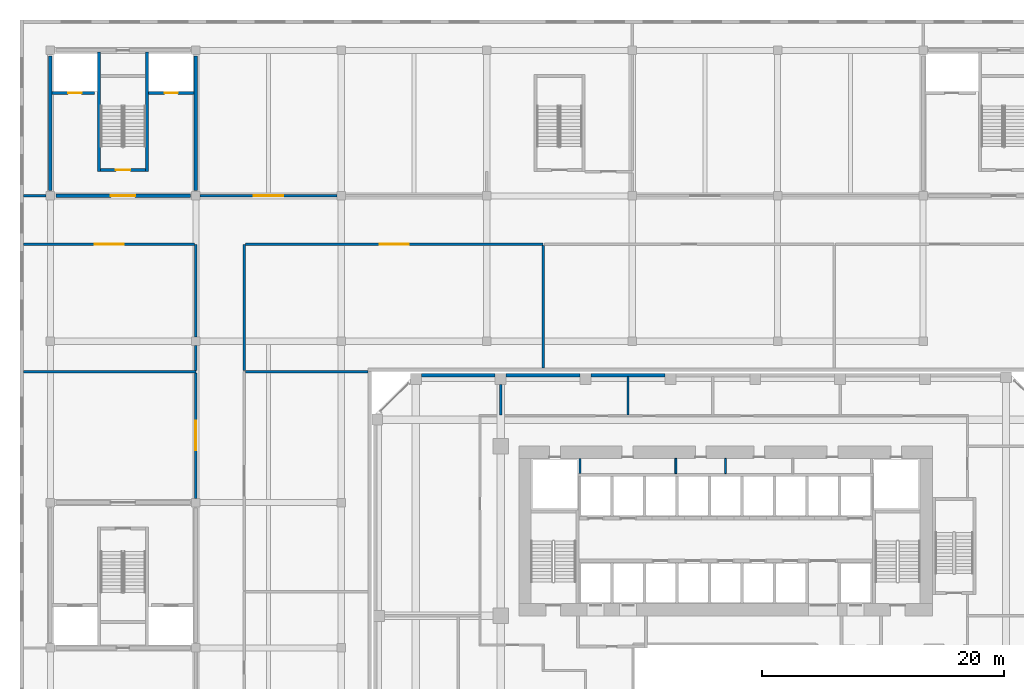
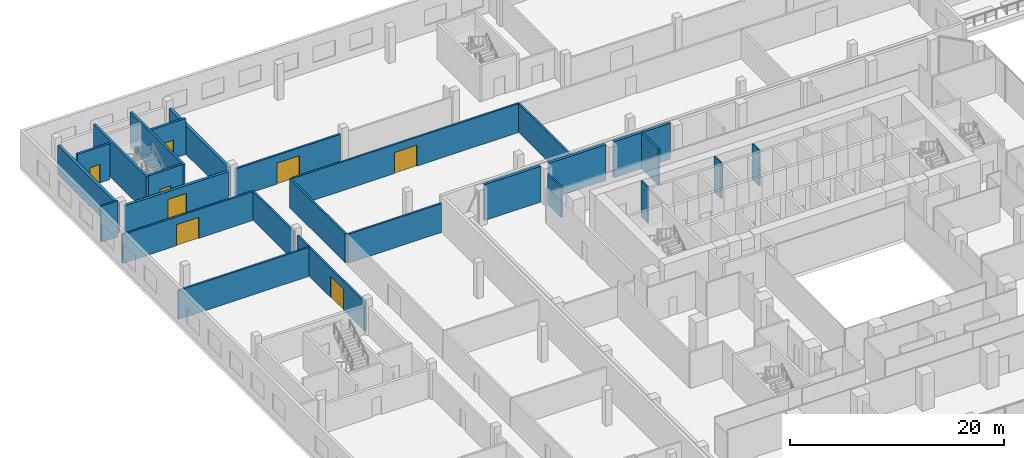
# One storey, part 21 of 36: 27 walls, 8 doors, 8 openings.
"""IFC4 building model written with IfcOpenShell, lengths in metres."""

from ifc_helpers import new_model, si_unit, direction, frame, frame_2d, origin, place, context, subcontext, project, spatial, rectangle, extrude, source, transform, mapped, material, layer, layer_set, type_object, element, fill, save


model = new_model("IFC4")

# Units and contexts
model_context = context("Model", 3, precision=1e-05, world=origin(), true_north=direction((0.0, 1.0)))
body_context = subcontext(model_context, "Body", "Model", "MODEL_VIEW")
ifc_project = project(units=[si_unit("LENGTHUNIT", "METRE"), si_unit("AREAUNIT", "SQUARE_METRE"), si_unit("VOLUMEUNIT", "CUBIC_METRE"), si_unit("PLANEANGLEUNIT", "RADIAN"), si_unit("MASSUNIT", "GRAM", prefix="KILO")], contexts=[model_context])

# Site, building, storey
site_placement = place(None, origin())
site = spatial("IfcSite", under=ifc_project, at=site_placement, CompositionType="ELEMENT")
building_placement = place(site_placement, origin())
building = spatial("IfcBuilding", under=site, at=building_placement, Name="Kilnfold Tower and Market Hall", CompositionType="ELEMENT")
storey_placement = place(building_placement, frame((0.0, 0.0, 18.0)))
storey = spatial("IfcBuildingStorey", under=building, at=storey_placement, Name="L03", CompositionType="ELEMENT", Elevation=18.0)

# Walls
ifc_material_1 = material(Name="Gypsum board on steel studs", Category="steel")
ifc_layer_1 = layer(ifc_material_1, 0.199951171875)
ifc_layer_set_1 = layer_set([ifc_layer_1], Name="Gypsum board on steel studs")
wall_type_1 = type_object("IfcWallType", Name="WALL PARTY 200", PredefinedType="PARTITIONING", material=ifc_layer_set_1)
wall_1_placement = place(storey_placement, frame((-7.0, 27.75, 0.0), z_axis=(0.0, 0.0, 1.0), x_axis=(0.0, -1.0, 0.0)))
element("IfcWall", 1, at=wall_1_placement, inside=storey, type_object=wall_type_1, Name="Partition LY04.64", PredefinedType="PARTITIONING", context=body_context, shape_type="SweptSolid", body=[
    extrude(rectangle(XDim=3.174072265625, YDim=0.199951171875, at=frame_2d((1.5869140625, 0.0))), origin(), (0.0, 0.0, 1.0), 4.10009765625),
])
wall_2_placement = place(storey_placement, frame((-17.5, 24.575927734375, 0.0), z_axis=(0.0, 0.0, 1.0), x_axis=(0.0, 1.0, 0.0)))
element("IfcWall", 2, at=wall_2_placement, inside=storey, type_object=wall_type_1, Name="Partition LY04.65", PredefinedType="PARTITIONING", context=body_context, shape_type="SweptSolid", body=[
    extrude(rectangle(XDim=2.524169921875, YDim=0.199951171875, at=frame_2d((1.26220703125, 0.0))), origin(), (0.0, 0.0, 1.0), 3.449951171875),
])

# Wall, opening, door
ifc_material_2 = material(Name="Concrete C50/60", Category="concrete")
ifc_layer_2 = layer(ifc_material_2, 0.25)
ifc_layer_set_2 = layer_set([ifc_layer_2], Name="Concrete C50/60")
wall_type_2 = type_object("IfcWallType", Name="HALL CORE WALL 250", PredefinedType="SHEAR", material=ifc_layer_set_2)
shared_shape_1 = source(origin(), body_context, "Body", "SweptSolid", [
    extrude(rectangle(XDim=3.699951171875, YDim=0.25, at=frame_2d((1.85009765625, 0.0))), origin(), (0.0, 0.0, 1.0), 4.10009765625),
])
wall_3_placement = place(storey_placement, frame((-46.800048828125, 44.77490234375, 0.0), z_axis=(0.0, 0.0, 1.0), x_axis=(-1.0, 0.0, 0.0)))
wall_3 = element("IfcWall", 3, at=wall_3_placement, inside=storey, type_object=wall_type_2, Name="Core wall MH2", PredefinedType="SHEAR", context=body_context, shape_type="MappedRepresentation", body=[
    mapped(shared_shape_1, transform((0.0, 0.0, 0.0))),
])
opening_1_placement = place(wall_3_placement, frame((1.25, 0.0, 0.0)))
opening_1 = element("IfcOpeningElement", 4, at=opening_1_placement, cuts=wall_3, Name="Opening MD9-60", PredefinedType="OPENING", context=body_context, shape_type="SweptSolid", body=[
    extrude(rectangle(XDim=1.199951171875, YDim=2.10009765625, at=frame_2d((0.60009765625, 1.050048828125))), frame((0.0, 0.135009765625, 0.0), z_axis=(0.0, -1.0, 0.0), x_axis=(1.0, 0.0, 0.0)), (0.0, 0.0, 1.0), 0.27001953125),
])
ifc_material_3 = material(Name="Steel S355", Category="steel")
door_type_1 = type_object("IfcDoorType", Name="HALL DOOR STAIR 1200X2100 FD60", OperationType="NOTDEFINED", PredefinedType="DOOR", material=ifc_material_3)
door_1_placement = place(opening_1_placement, origin())
door_1 = element("IfcDoor", 5, at=door_1_placement, inside=storey, type_object=door_type_1, Name="Door MD9-60", OperationType="DOUBLE_DOOR_SINGLE_SWING", OverallHeight=2.10009765625, OverallWidth=1.199951171875, PredefinedType="DOOR", context=body_context, shape_type="SweptSolid", body=[
    extrude(rectangle(XDim=1.199951171875, YDim=2.10009765625, at=frame_2d((0.60009765625, 1.050048828125))), frame((0.0, 0.02490234375, 0.0), z_axis=(0.0, -1.0, 0.0), x_axis=(1.0, 0.0, 0.0)), (0.0, 0.0, 1.0), 0.050048828125),
])
fill(opening_1, door_1)

# Walls
shared_shape_2 = source(origin(), body_context, "Body", "SweptSolid", [
    extrude(rectangle(XDim=9.85009765625, YDim=0.25, at=frame_2d((4.925048828125, 0.0))), origin(), (0.0, 0.0, 1.0), 4.10009765625),
])
for number, where, z_axis, x_axis, name in (
    (6, (-46.675048828125, 54.5, 0.0), (0.0, 0.0, 1.0), (0.0, -1.0, 0.0), "Core wall MH2"),
    (7, (-50.625, 54.5, 0.0), (0.0, 0.0, 1.0), (0.0, -1.0, 0.0), "Core wall MH2"),
):
    element("IfcWall", number, at=place(storey_placement, frame(where, z_axis=z_axis, x_axis=x_axis)), inside=storey, type_object=wall_type_2, Name=name, PredefinedType="SHEAR", context=body_context, shape_type="MappedRepresentation", body=[
        mapped(shared_shape_2, transform((0.0, 0.0, 0.0))),
    ])

# Wall, opening, door
shared_shape_3 = source(origin(), body_context, "Body", "SweptSolid", [
    extrude(rectangle(XDim=3.75, YDim=0.25, at=frame_2d((1.875, 0.0))), origin(), (0.0, 0.0, 1.0), 4.10009765625),
])
wall_4_placement = place(storey_placement, frame((-42.800048828125, 51.125, 0.0), z_axis=(0.0, 0.0, 1.0), x_axis=(-1.0, 0.0, 0.0)))
wall_4 = element("IfcWall", 8, at=wall_4_placement, inside=storey, type_object=wall_type_2, Name="Core wall MH2", PredefinedType="SHEAR", context=body_context, shape_type="MappedRepresentation", body=[
    mapped(shared_shape_3, transform((0.0, 0.0, 0.0))),
])
opening_2_placement = place(wall_4_placement, frame((1.324951171875, 0.0, 0.0)))
opening_2 = element("IfcOpeningElement", 9, at=opening_2_placement, cuts=wall_4, Name="Opening LD", PredefinedType="OPENING", context=body_context, shape_type="SweptSolid", body=[
    extrude(rectangle(XDim=1.10009765625, YDim=2.10009765625, at=frame_2d((0.550048828125, 1.050048828125))), frame((0.0, 0.135009765625, 0.0), z_axis=(0.0, -1.0, 0.0), x_axis=(1.0, 0.0, 0.0)), (0.0, 0.0, 1.0), 0.27001953125),
])
ifc_material_4 = material(Name="Steel S355", Category="steel")
door_type_2 = type_object("IfcDoorType", Name="HALL LANDING DOOR 1100X2100 FD60", OperationType="NOTDEFINED", PredefinedType="DOOR", material=ifc_material_4)
door_2_placement = place(opening_2_placement, origin())
door_2 = element("IfcDoor", 10, at=door_2_placement, inside=storey, type_object=door_type_2, Name="Door LD", OperationType="SLIDING_TO_LEFT", OverallHeight=2.10009765625, OverallWidth=1.10009765625, PredefinedType="DOOR", context=body_context, shape_type="SweptSolid", body=[
    extrude(rectangle(XDim=1.10009765625, YDim=2.10009765625, at=frame_2d((0.550048828125, 1.050048828125))), frame((0.0, 0.02490234375, 0.0), z_axis=(0.0, -1.0, 0.0), x_axis=(1.0, 0.0, 0.0)), (0.0, 0.0, 1.0), 0.050048828125),
])
fill(opening_2, door_2)

shared_shape_4 = source(origin(), body_context, "Body", "SweptSolid", [
    extrude(rectangle(XDim=3.5, YDim=0.25, at=frame_2d((1.75, 0.0))), origin(), (0.0, 0.0, 1.0), 4.10009765625),
])
wall_5_placement = place(storey_placement, frame((-51.0, 51.125, 0.0), z_axis=(0.0, 0.0, 1.0), x_axis=(-1.0, 0.0, 0.0)))
wall_5 = element("IfcWall", 11, at=wall_5_placement, inside=storey, type_object=wall_type_2, Name="Core wall MH2", PredefinedType="SHEAR", context=body_context, shape_type="MappedRepresentation", body=[
    mapped(shared_shape_4, transform((0.0, 0.0, 0.0))),
])
opening_3_placement = place(wall_5_placement, frame((1.074951171875, 0.0, 0.0)))
opening_3 = element("IfcOpeningElement", 12, at=opening_3_placement, cuts=wall_5, Name="Opening LD", PredefinedType="OPENING", context=body_context, shape_type="SweptSolid", body=[
    extrude(rectangle(XDim=1.10009765625, YDim=2.10009765625, at=frame_2d((0.550048828125, 1.050048828125))), frame((0.0, 0.135009765625, 0.0), z_axis=(0.0, -1.0, 0.0), x_axis=(1.0, 0.0, 0.0)), (0.0, 0.0, 1.0), 0.27001953125),
])
door_3_placement = place(opening_3_placement, origin())
door_3 = element("IfcDoor", 13, at=door_3_placement, inside=storey, type_object=door_type_2, Name="Door LD", OperationType="SLIDING_TO_LEFT", OverallHeight=2.10009765625, OverallWidth=1.10009765625, PredefinedType="DOOR", context=body_context, shape_type="SweptSolid", body=[
    extrude(rectangle(XDim=1.10009765625, YDim=2.10009765625, at=frame_2d((0.550048828125, 1.050048828125))), frame((0.0, 0.02490234375, 0.0), z_axis=(0.0, -1.0, 0.0), x_axis=(1.0, 0.0, 0.0)), (0.0, 0.0, 1.0), 0.050048828125),
])
fill(opening_3, door_3)

ifc_material_5 = material(Name="Concrete C50/60", Category="concrete")
ifc_layer_3 = layer(ifc_material_5, 0.300048828125)
ifc_layer_set_3 = layer_set([ifc_layer_3], Name="Concrete C50/60")
wall_type_3 = type_object("IfcWallType", Name="HALL CORE WALL 300", PredefinedType="SHEAR", material=ifc_layer_set_3)
shared_shape_5 = source(origin(), body_context, "Body", "SweptSolid", [
    extrude(rectangle(XDim=11.099853515625, YDim=0.300048828125, at=frame_2d((5.5498046875, 0.0))), origin(), (0.0, 0.0, 1.0), 3.300048828125),
])
wall_6_placement = place(storey_placement, frame((-43.10009765625, 42.64990234375, 0.0), z_axis=(0.0, 0.0, 1.0), x_axis=(-1.0, 0.0, 0.0)))
wall_6 = element("IfcWall", 14, at=wall_6_placement, inside=storey, type_object=wall_type_3, Name="Core wall MH2", PredefinedType="SHEAR", context=body_context, shape_type="MappedRepresentation", body=[
    mapped(shared_shape_5, transform((0.0, 0.0, 0.0))),
])
opening_4_placement = place(wall_6_placement, frame((4.550048828125, 0.0, 0.0)))
opening_4 = element("IfcOpeningElement", 15, at=opening_4_placement, cuts=wall_6, Name="Opening MD10-60", PredefinedType="OPENING", context=body_context, shape_type="SweptSolid", body=[
    extrude(rectangle(XDim=2.0, YDim=2.39990234375, at=frame_2d((1.0, 1.199951171875))), frame((0.0, 0.16015625, 0.0), z_axis=(0.0, -1.0, 0.0), x_axis=(1.0, 0.0, 0.0)), (0.0, 0.0, 1.0), 0.320068359375),
])
ifc_material_6 = material(Name="Aluminium glazing", Category="aluminium")
door_type_3 = type_object("IfcDoorType", Name="HALL DOOR LOBBY 2000X2400 FD60", OperationType="NOTDEFINED", PredefinedType="DOOR", material=ifc_material_6)
door_4_placement = place(opening_4_placement, origin())
door_4 = element("IfcDoor", 16, at=door_4_placement, inside=storey, type_object=door_type_3, Name="Door MD10-60", OperationType="DOUBLE_DOOR_SINGLE_SWING", OverallHeight=2.39990234375, OverallWidth=2.0, PredefinedType="DOOR", context=body_context, shape_type="SweptSolid", body=[
    extrude(rectangle(XDim=2.0, YDim=2.39990234375, at=frame_2d((1.0, 1.199951171875))), frame((0.0, 0.02490234375, 0.0), z_axis=(0.0, -1.0, 0.0), x_axis=(1.0, 0.0, 0.0)), (0.0, 0.0, 1.0), 0.050048828125),
])
fill(opening_4, door_4)

# Walls
for number, where, z_axis, x_axis, name in (
    (17, (-42.64990234375, 54.199951171875, 0.0), (0.0, 0.0, 1.0), (0.0, -1.0, 0.0), "Core wall MH2"),
    (18, (-54.64990234375, 54.199951171875, 0.0), (0.0, 0.0, 1.0), (0.0, -1.0, 0.0), "Core wall MH2"),
):
    element("IfcWall", number, at=place(storey_placement, frame(where, z_axis=z_axis, x_axis=x_axis)), inside=storey, type_object=wall_type_3, Name=name, PredefinedType="SHEAR", context=body_context, shape_type="MappedRepresentation", body=[
        mapped(shared_shape_5, transform((0.0, 0.0, 0.0))),
    ])
ifc_material_7 = material(Name="Precast concrete C50/60", Category="concrete")
ifc_layer_4 = layer(ifc_material_7, 0.300048828125)
ifc_layer_set_4 = layer_set([ifc_layer_4], Name="Precast concrete C50/60")
wall_type_4 = type_object("IfcWallType", Name="PRECAST WALL 300", PredefinedType="SOLIDWALL", material=ifc_layer_set_4)
shared_shape_6 = source(origin(), body_context, "Body", "SweptSolid", [
    extrude(rectangle(XDim=6.10009765625, YDim=0.300048828125, at=frame_2d((3.050048828125, 0.0))), origin(), (0.0, 0.0, 1.0), 4.10009765625),
])
for number, where, z_axis, x_axis, name in (
    (19, (-3.949951171875, 27.85009765625, 0.0), (0.0, 0.0, 1.0), (-1.0, 0.0, 0.0), "Party wall L03 N"),
    (20, (-10.949951171875, 27.85009765625, 0.0), (0.0, 0.0, 1.0), (-1.0, 0.0, 0.0), "Party wall L03 N"),
    (21, (-17.949951171875, 27.85009765625, 0.0), (0.0, 0.0, 1.0), (-1.0, 0.0, 0.0), "Party wall L03 N"),
):
    element("IfcWall", number, at=place(storey_placement, frame(where, z_axis=z_axis, x_axis=x_axis)), inside=storey, type_object=wall_type_4, Name=name, PredefinedType="SOLIDWALL", context=body_context, shape_type="MappedRepresentation", body=[
        mapped(shared_shape_6, transform((0.0, 0.0, 0.0))),
    ])
ifc_material_8 = material(Name="Gypsum shaft wall system")
ifc_layer_5 = layer(ifc_material_8, 0.1650390625)
ifc_layer_set_5 = layer_set([ifc_layer_5], Name="Gypsum shaft wall system")
wall_type_5 = type_object("IfcWallType", Name="SHAFT WALL 165", PredefinedType="PARTITIONING", material=ifc_layer_set_5)
shared_shape_7 = source(origin(), body_context, "Body", "SweptSolid", [
    extrude(rectangle(XDim=1.27490234375, YDim=0.1650390625, at=frame_2d((0.637451171875, 0.0))), origin(), (0.0, 0.0, 1.0), 4.10009765625),
])
wall_7_placement = place(storey_placement, frame((-10.967529296875, 19.72509765625, 0.0), z_axis=(0.0, 0.0, 1.0), x_axis=(0.0, 1.0, 0.0)))
element("IfcWall", 22, at=wall_7_placement, inside=storey, type_object=wall_type_5, Name="Lift shaft wall", PredefinedType="PARTITIONING", context=body_context, shape_type="MappedRepresentation", body=[
    mapped(shared_shape_7, transform((0.0, 0.0, 0.0))),
])
ifc_material_9 = material(Name="Gypsum shaft wall system")
ifc_layer_6 = layer(ifc_material_9, 0.14990234375)
ifc_layer_set_6 = layer_set([ifc_layer_6], Name="Gypsum shaft wall system")
wall_type_6 = type_object("IfcWallType", Name="ROOM WALL 150", PredefinedType="PARTITIONING", material=ifc_layer_set_6)
shared_shape_8 = source(origin(), body_context, "Body", "SweptSolid", [
    extrude(rectangle(XDim=1.27490234375, YDim=0.14990234375, at=frame_2d((0.637451171875, 0.0))), origin(), (0.0, 0.0, 1.0), 4.10009765625),
])
for number, where, z_axis, x_axis, name in (
    (23, (-3.05029296875, 19.72509765625, 0.0), (0.0, 0.0, 1.0), (0.0, 1.0, 0.0), "Core room wall"),
    (24, (1.050048828125, 19.72509765625, 0.0), (0.0, 0.0, 1.0), (0.0, 1.0, 0.0), "Core room wall"),
):
    element("IfcWall", number, at=place(storey_placement, frame(where, z_axis=z_axis, x_axis=x_axis)), inside=storey, type_object=wall_type_6, Name=name, PredefinedType="PARTITIONING", context=body_context, shape_type="MappedRepresentation", body=[
        mapped(shared_shape_8, transform((0.0, 0.0, 0.0))),
    ])
ifc_material_10 = material(Name="Concrete blockwork", Category="masonry")
ifc_layer_7 = layer(ifc_material_10, 0.199951171875)
ifc_layer_set_7 = layer_set([ifc_layer_7], Name="Concrete blockwork")
wall_type_7 = type_object("IfcWallType", Name="HALL PARTITION 200 EI 60", PredefinedType="PARTITIONING", material=ifc_layer_set_7)
shared_shape_9 = source(origin(), body_context, "Body", "SweptSolid", [
    extrude(rectangle(XDim=14.2001953125, YDim=0.199951171875, at=frame_2d((7.10009765625, 0.0))), origin(), (0.0, 0.0, 1.0), 3.300048828125),
])
wall_8_placement = place(storey_placement, frame((-56.85009765625, 28.14990234375, 0.0), z_axis=(0.0, 0.0, 1.0), x_axis=(1.0, 0.0, 0.0)))
element("IfcWall", 25, at=wall_8_placement, inside=storey, type_object=wall_type_7, Name="Partition W-MH-L03.4", PredefinedType="PARTITIONING", context=body_context, shape_type="MappedRepresentation", body=[
    mapped(shared_shape_9, transform((0.0, 0.0, 0.0))),
])

# Wall, opening, door
shared_shape_10 = source(origin(), body_context, "Body", "SweptSolid", [
    extrude(rectangle(XDim=14.10009765625, YDim=0.199951171875, at=frame_2d((7.050048828125, 0.0))), origin(), (0.0, 0.0, 1.0), 3.300048828125),
])
wall_9_placement = place(storey_placement, frame((-42.75, 38.64990234375, 0.0), z_axis=(0.0, 0.0, 1.0), x_axis=(-1.0, 0.0, 0.0)))
wall_9 = element("IfcWall", 26, at=wall_9_placement, inside=storey, type_object=wall_type_7, Name="Partition W-MH-L03.14", PredefinedType="PARTITIONING", context=body_context, shape_type="MappedRepresentation", body=[
    mapped(shared_shape_10, transform((0.0, 0.0, 0.0))),
])
opening_5_placement = place(wall_9_placement, frame((5.85009765625, 0.0, 0.0)))
opening_5 = element("IfcOpeningElement", 27, at=opening_5_placement, cuts=wall_9, Name="Opening MD7-60", PredefinedType="OPENING", context=body_context, shape_type="SweptSolid", body=[
    extrude(rectangle(XDim=2.39990234375, YDim=2.39990234375, at=frame_2d((1.199951171875, 1.199951171875))), frame((0.0, 0.10986328125, 0.0), z_axis=(0.0, -1.0, 0.0), x_axis=(1.0, 0.0, 0.0)), (0.0, 0.0, 1.0), 0.219970703125),
])
ifc_material_11 = material(Name="Aluminium glazing", Category="aluminium")
door_type_4 = type_object("IfcDoorType", Name="HALL DOOR HALL 2400X2400 FD60", OperationType="NOTDEFINED", PredefinedType="DOOR", material=ifc_material_11)
door_5_placement = place(opening_5_placement, origin())
door_5 = element("IfcDoor", 28, at=door_5_placement, inside=storey, type_object=door_type_4, Name="Door MD7-60", OperationType="DOUBLE_DOOR_SINGLE_SWING", OverallHeight=2.39990234375, OverallWidth=2.39990234375, PredefinedType="DOOR", context=body_context, shape_type="SweptSolid", body=[
    extrude(rectangle(XDim=2.39990234375, YDim=2.39990234375, at=frame_2d((1.199951171875, 1.199951171875))), frame((0.0, 0.02490234375, 0.0), z_axis=(0.0, -1.0, 0.0), x_axis=(1.0, 0.0, 0.0)), (0.0, 0.0, 1.0), 0.050048828125),
])
fill(opening_5, door_5)

# Walls
shared_shape_11 = source(origin(), body_context, "Body", "SweptSolid", [
    extrude(rectangle(XDim=10.10009765625, YDim=0.199951171875, at=frame_2d((5.050048828125, 0.0))), origin(), (0.0, 0.0, 1.0), 3.300048828125),
])
wall_10_placement = place(storey_placement, frame((-38.550048828125, 28.14990234375, 0.0), z_axis=(0.0, 0.0, 1.0), x_axis=(1.0, 0.0, 0.0)))
element("IfcWall", 29, at=wall_10_placement, inside=storey, type_object=wall_type_7, Name="Partition W-MH-L03.27", PredefinedType="PARTITIONING", context=body_context, shape_type="MappedRepresentation", body=[
    mapped(shared_shape_11, transform((0.0, 0.0, 0.0))),
])
ifc_material_12 = material(Name="Concrete blockwork", Category="masonry")
ifc_layer_8 = layer(ifc_material_12, 0.199951171875)
ifc_layer_set_8 = layer_set([ifc_layer_8], Name="Concrete blockwork")
wall_type_8 = type_object("IfcWallType", Name="HALL PARTITION 200 EI 120", PredefinedType="PARTITIONING", material=ifc_layer_set_8)
wall_11_placement = place(storey_placement, frame((-14.0, 38.550048828125, 0.0), z_axis=(0.0, 0.0, 1.0), x_axis=(0.0, -1.0, 0.0)))
element("IfcWall", 30, at=wall_11_placement, inside=storey, type_object=wall_type_8, Name="Partition W-MH-L03.35", PredefinedType="PARTITIONING", context=body_context, shape_type="MappedRepresentation", body=[
    mapped(shared_shape_11, transform((0.0, 0.0, 0.0))),
])
shared_shape_12 = source(origin(), body_context, "Body", "SweptSolid", [
    extrude(rectangle(XDim=10.39990234375, YDim=0.199951171875, at=frame_2d((5.199951171875, 0.0))), origin(), (0.0, 0.0, 1.0), 3.300048828125),
])
wall_12_placement = place(storey_placement, frame((-38.64990234375, 38.64990234375, 0.0), z_axis=(0.0, 0.0, 1.0), x_axis=(0.0, -1.0, 0.0)))
element("IfcWall", 31, at=wall_12_placement, inside=storey, type_object=wall_type_7, Name="Partition W-MH-L03.28", PredefinedType="PARTITIONING", context=body_context, shape_type="MappedRepresentation", body=[
    mapped(shared_shape_12, transform((0.0, 0.0, 0.0))),
])

# Wall, opening, door
shared_shape_13 = source(origin(), body_context, "Body", "SweptSolid", [
    extrude(rectangle(XDim=24.550048828125, YDim=0.199951171875, at=frame_2d((12.27490234375, 0.0))), origin(), (0.0, 0.0, 1.0), 3.300048828125),
])
wall_13_placement = place(storey_placement, frame((-14.0, 38.64990234375, 0.0), z_axis=(0.0, 0.0, 1.0), x_axis=(-1.0, 0.0, 0.0)))
wall_13 = element("IfcWall", 32, at=wall_13_placement, inside=storey, type_object=wall_type_7, Name="Partition W-MH-L03.34", PredefinedType="PARTITIONING", context=body_context, shape_type="MappedRepresentation", body=[
    mapped(shared_shape_13, transform((0.0, 0.0, 0.0))),
])
opening_6_placement = place(wall_13_placement, frame((11.074951171875, 0.0, 0.0)))
opening_6 = element("IfcOpeningElement", 33, at=opening_6_placement, cuts=wall_13, Name="Opening MD7-60", PredefinedType="OPENING", context=body_context, shape_type="SweptSolid", body=[
    extrude(rectangle(XDim=2.39990234375, YDim=2.39990234375, at=frame_2d((1.199951171875, 1.199951171875))), frame((0.0, 0.10986328125, 0.0), z_axis=(0.0, -1.0, 0.0), x_axis=(1.0, 0.0, 0.0)), (0.0, 0.0, 1.0), 0.219970703125),
])
door_6_placement = place(opening_6_placement, origin())
door_6 = element("IfcDoor", 34, at=door_6_placement, inside=storey, type_object=door_type_4, Name="Door MD7-60", OperationType="DOUBLE_DOOR_SINGLE_SWING", OverallHeight=2.39990234375, OverallWidth=2.39990234375, PredefinedType="DOOR", context=body_context, shape_type="SweptSolid", body=[
    extrude(rectangle(XDim=2.39990234375, YDim=2.39990234375, at=frame_2d((1.199951171875, 1.199951171875))), frame((0.0, 0.02490234375, 0.0), z_axis=(0.0, -1.0, 0.0), x_axis=(1.0, 0.0, 0.0)), (0.0, 0.0, 1.0), 0.050048828125),
])
fill(opening_6, door_6)

# Wall
shared_shape_14 = source(origin(), body_context, "Body", "SweptSolid", [
    extrude(rectangle(XDim=1.85009765625, YDim=0.199951171875, at=frame_2d((0.925048828125, 0.0))), origin(), (0.0, 0.0, 1.0), 4.10009765625),
])
wall_14_placement = place(storey_placement, frame((-56.85009765625, 42.64990234375, 0.0), z_axis=(0.0, 0.0, 1.0), x_axis=(1.0, 0.0, 0.0)))
element("IfcWall", 35, at=wall_14_placement, inside=storey, type_object=wall_type_7, Name="Partition W-MH-L03.5", PredefinedType="PARTITIONING", context=body_context, shape_type="MappedRepresentation", body=[
    mapped(shared_shape_14, transform((0.0, 0.0, 0.0))),
])

# Wall, opening, door
shared_shape_15 = source(origin(), body_context, "Body", "SweptSolid", [
    extrude(rectangle(XDim=11.300048828125, YDim=0.199951171875, at=frame_2d((5.64990234375, 0.0))), origin(), (0.0, 0.0, 1.0), 3.300048828125),
])
wall_15_placement = place(storey_placement, frame((-42.300048828125, 42.64990234375, 0.0), z_axis=(0.0, 0.0, 1.0), x_axis=(1.0, 0.0, 0.0)))
wall_15 = element("IfcWall", 36, at=wall_15_placement, inside=storey, type_object=wall_type_7, Name="Partition W-MH-L03.15", PredefinedType="PARTITIONING", context=body_context, shape_type="MappedRepresentation", body=[
    mapped(shared_shape_15, transform((0.0, 0.0, 0.0))),
])
opening_7_placement = place(wall_15_placement, frame((4.449951171875, 0.0, 0.0)))
opening_7 = element("IfcOpeningElement", 37, at=opening_7_placement, cuts=wall_15, Name="Opening MD7-60", PredefinedType="OPENING", context=body_context, shape_type="SweptSolid", body=[
    extrude(rectangle(XDim=2.39990234375, YDim=2.39990234375, at=frame_2d((1.199951171875, 1.199951171875))), frame((0.0, 0.10986328125, 0.0), z_axis=(0.0, -1.0, 0.0), x_axis=(1.0, 0.0, 0.0)), (0.0, 0.0, 1.0), 0.219970703125),
])
door_7_placement = place(opening_7_placement, origin())
door_7 = element("IfcDoor", 38, at=door_7_placement, inside=storey, type_object=door_type_4, Name="Door MD7-60", OperationType="DOUBLE_DOOR_SINGLE_SWING", OverallHeight=2.39990234375, OverallWidth=2.39990234375, PredefinedType="DOOR", context=body_context, shape_type="SweptSolid", body=[
    extrude(rectangle(XDim=2.39990234375, YDim=2.39990234375, at=frame_2d((1.199951171875, 1.199951171875))), frame((0.0, 0.02490234375, 0.0), z_axis=(0.0, -1.0, 0.0), x_axis=(1.0, 0.0, 0.0)), (0.0, 0.0, 1.0), 0.050048828125),
])
fill(opening_7, door_7)

shared_shape_16 = source(origin(), body_context, "Body", "SweptSolid", [
    extrude(rectangle(XDim=10.35009765625, YDim=0.199951171875, at=frame_2d((5.175048828125, 0.0))), origin(), (0.0, 0.0, 1.0), 3.300048828125),
])
wall_16_placement = place(storey_placement, frame((-42.64990234375, 17.699951171875, 0.0), z_axis=(0.0, 0.0, 1.0), x_axis=(0.0, 1.0, 0.0)))
wall_16 = element("IfcWall", 39, at=wall_16_placement, inside=storey, type_object=wall_type_7, Name="Partition W-MH-L03.11", PredefinedType="PARTITIONING", context=body_context, shape_type="MappedRepresentation", body=[
    mapped(shared_shape_16, transform((0.0, 0.0, 0.0))),
])
opening_8_placement = place(wall_16_placement, frame((3.97509765625, 0.0, 0.0)))
opening_8 = element("IfcOpeningElement", 40, at=opening_8_placement, cuts=wall_16, Name="Opening MD7-60", PredefinedType="OPENING", context=body_context, shape_type="SweptSolid", body=[
    extrude(rectangle(XDim=2.39990234375, YDim=2.39990234375, at=frame_2d((1.199951171875, 1.199951171875))), frame((0.0, 0.10986328125, 0.0), z_axis=(0.0, -1.0, 0.0), x_axis=(1.0, 0.0, 0.0)), (0.0, 0.0, 1.0), 0.219970703125),
])
door_8_placement = place(opening_8_placement, origin())
door_8 = element("IfcDoor", 41, at=door_8_placement, inside=storey, type_object=door_type_4, Name="Door MD7-60", OperationType="DOUBLE_DOOR_SINGLE_SWING", OverallHeight=2.39990234375, OverallWidth=2.39990234375, PredefinedType="DOOR", context=body_context, shape_type="SweptSolid", body=[
    extrude(rectangle(XDim=2.39990234375, YDim=2.39990234375, at=frame_2d((1.199951171875, 1.199951171875))), frame((0.0, 0.02490234375, 0.0), z_axis=(0.0, -1.0, 0.0), x_axis=(1.0, 0.0, 0.0)), (0.0, 0.0, 1.0), 0.050048828125),
])
fill(opening_8, door_8)

# Walls
shared_shape_17 = source(origin(), body_context, "Body", "SweptSolid", [
    extrude(rectangle(XDim=2.050048828125, YDim=0.199951171875, at=frame_2d((1.02490234375, 0.0))), origin(), (0.0, 0.0, 1.0), 3.300048828125),
])
wall_17_placement = place(storey_placement, frame((-42.64990234375, 28.25, 0.0), z_axis=(0.0, 0.0, 1.0), x_axis=(0.0, 1.0, 0.0)))
element("IfcWall", 42, at=wall_17_placement, inside=storey, type_object=wall_type_7, Name="Partition W-MH-L03.12", PredefinedType="PARTITIONING", context=body_context, shape_type="MappedRepresentation", body=[
    mapped(shared_shape_17, transform((0.0, 0.0, 0.0))),
])
shared_shape_18 = source(origin(), body_context, "Body", "SweptSolid", [
    extrude(rectangle(XDim=7.64990234375, YDim=0.199951171875, at=frame_2d((3.824951171875, 0.0))), origin(), (0.0, 0.0, 1.0), 3.300048828125),
])
wall_18_placement = place(storey_placement, frame((-42.64990234375, 31.0, 0.0), z_axis=(0.0, 0.0, 1.0), x_axis=(0.0, 1.0, 0.0)))
element("IfcWall", 43, at=wall_18_placement, inside=storey, type_object=wall_type_7, Name="Partition W-MH-L03.13", PredefinedType="PARTITIONING", context=body_context, shape_type="MappedRepresentation", body=[
    mapped(shared_shape_18, transform((0.0, 0.0, 0.0))),
])

save(model, "model.ifc")
